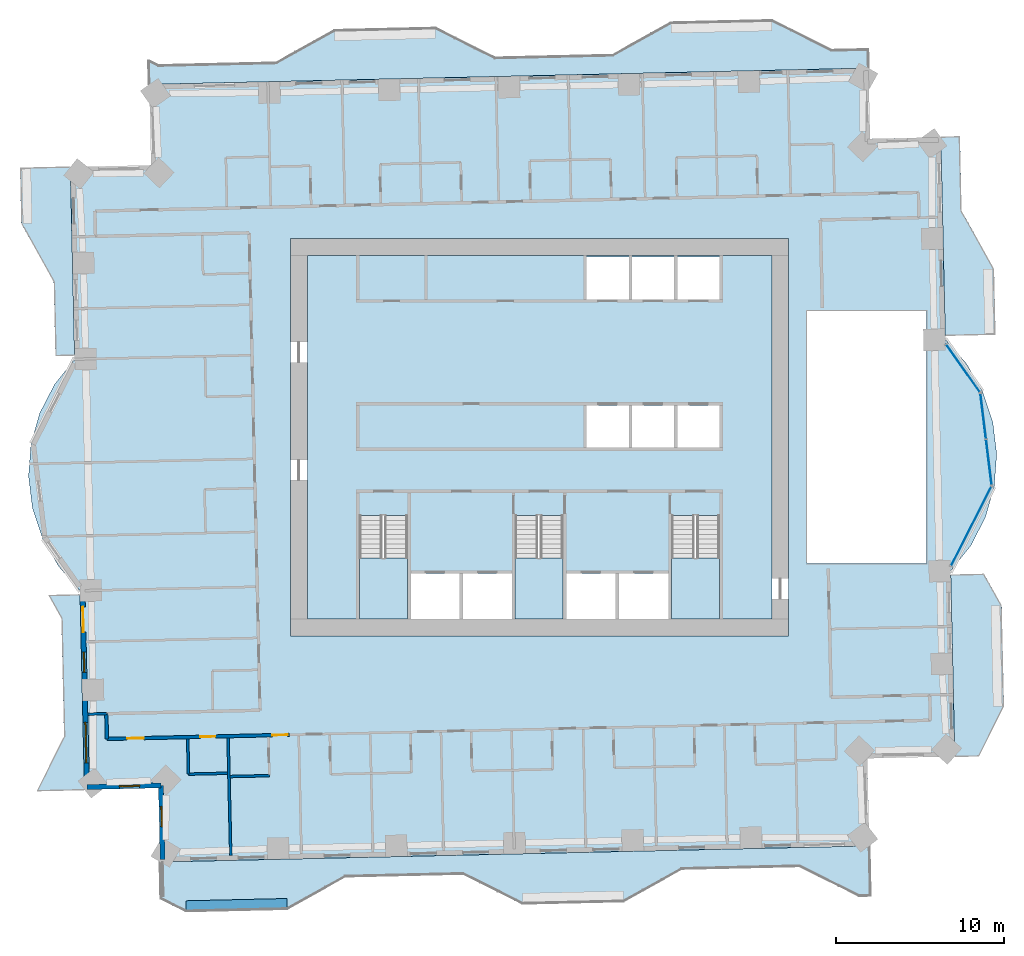
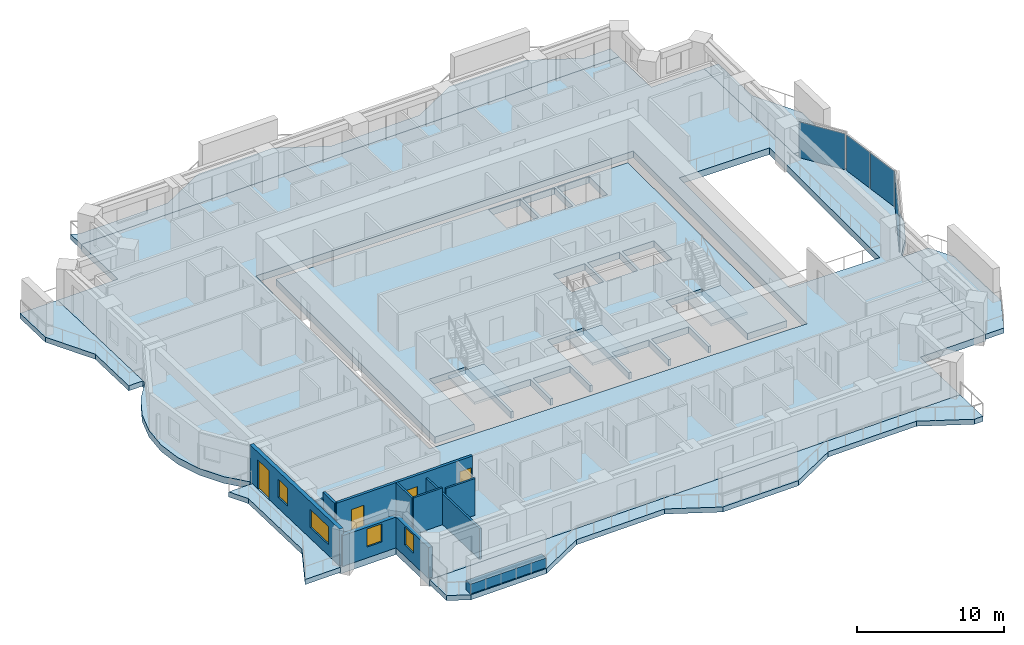
# One storey, part 5 of 16: 11 slabs, 11 walls, 4 doors, 4 plates, 4 windows, 8 openings, 6 elements without a shape of their own.
"""IFC4 building model written with IfcOpenShell, lengths in metres."""

from ifc_helpers import new_model, si_unit, direction, frame, frame_2d, origin, origin_2d, place, context, subcontext, project, spatial, polyline, rectangle, outline, extrude, material, layer, layer_set, type_object, element, fill, aggregate, save


model = new_model("IFC4")

# Units and contexts
model_context = context("Model", 3, precision=1e-05, world=origin(), true_north=direction((0.0, 1.0)))
body_context = subcontext(model_context, "Body", "Model", "MODEL_VIEW")
ifc_project = project(units=[si_unit("LENGTHUNIT", "METRE"), si_unit("AREAUNIT", "SQUARE_METRE"), si_unit("VOLUMEUNIT", "CUBIC_METRE"), si_unit("PLANEANGLEUNIT", "RADIAN"), si_unit("MASSUNIT", "GRAM", prefix="KILO")], contexts=[model_context])

# Site, building, storey
site_placement = place(None, origin())
site = spatial("IfcSite", under=ifc_project, at=site_placement, CompositionType="ELEMENT")
building_placement = place(site_placement, origin())
building = spatial("IfcBuilding", under=site, at=building_placement, Name="Mangrove Gate Tower", CompositionType="ELEMENT")
storey_placement = place(building_placement, frame((0.0, 0.0, 130.10009765625)))
storey = spatial("IfcBuildingStorey", under=building, at=storey_placement, Name="L32", CompositionType="ELEMENT", Elevation=130.10009765625)

# Curtain wall, plate
ifc_material_1 = material(Name="Aluminium and glass curtain wall", Category="aluminium")
curtain_wall_type = type_object("IfcCurtainWallType", Name="Atrium garden-court glazing wall", PredefinedType="NOTDEFINED", material=ifc_material_1)
curtain_wall_1_placement = place(storey_placement, origin())
curtain_wall_1 = element("IfcCurtainWall", 1, at=curtain_wall_1_placement, inside=storey, type_object=curtain_wall_type, Name="Atrium garden-court glazing E1f1", PredefinedType="NOTDEFINED")
ifc_material_2 = material(Name="Laminated low-e glass", Category="glass")
ifc_layer_1 = layer(ifc_material_2, 0.031982421875)
ifc_layer_set_1 = layer_set([ifc_layer_1], Name="Atrium garden-court glazing panel 32")
plate_type = type_object("IfcPlateType", Name="Atrium garden-court glazing panel 32", PredefinedType="CURTAIN_PANEL", material=ifc_layer_set_1)
plate_1_placement = place(storey_placement, frame((25.647216796875, -5.28466796875, 0.0), z_axis=(0.0, 0.0, 1.0), x_axis=(0.452614630938, 0.891706227331, 0.0)))
plate_1 = element("IfcPlate", 2, at=plate_1_placement, type_object=plate_type, Name="CWA panel 1.1", PredefinedType="CURTAIN_PANEL", context=body_context, shape_type="SweptSolid", body=[
    extrude(rectangle(XDim=5.258544921875, YDim=0.031982421875, at=origin_2d()), origin(), (0.0, 0.0, 1.0), 2.97998046875),
])
aggregate(curtain_wall_1, [plate_1])

# Curtain wall, plates
curtain_wall_2_placement = place(storey_placement, origin())
curtain_wall_2 = element("IfcCurtainWall", 3, at=curtain_wall_2_placement, inside=storey, type_object=curtain_wall_type, Name="Atrium garden-court glazing E1f2", PredefinedType="NOTDEFINED")
plate_2_placement = place(storey_placement, frame((26.696533203125, -1.4775390625, 0.0), z_axis=(0.0, 0.0, 1.0), x_axis=(-0.122172285885, 0.992508908051, 0.0)))
plate_2 = element("IfcPlate", 4, at=plate_2_placement, type_object=plate_type, Name="CWA panel 1.1", PredefinedType="CURTAIN_PANEL", context=body_context, shape_type="SweptSolid", body=[
    extrude(rectangle(XDim=2.681640625, YDim=0.031982421875, at=origin_2d()), origin(), (0.0, 0.0, 1.0), 2.97998046875),
])
plate_3_placement = place(storey_placement, frame((26.3603515625, 1.253662109375, 0.0), z_axis=(0.0, 0.0, 1.0), x_axis=(-0.122172285885, 0.992508908051, 0.0)))
plate_3 = element("IfcPlate", 5, at=plate_3_placement, type_object=plate_type, Name="CWA panel 2.1", PredefinedType="CURTAIN_PANEL", context=body_context, shape_type="SweptSolid", body=[
    extrude(rectangle(XDim=2.681640625, YDim=0.031982421875, at=origin_2d()), origin(), (0.0, 0.0, 1.0), 2.97998046875),
])
aggregate(curtain_wall_2, [plate_2, plate_3])

# Curtain wall, plate
curtain_wall_3_placement = place(storey_placement, origin())
curtain_wall_3 = element("IfcCurtainWall", 6, at=curtain_wall_3_placement, inside=storey, type_object=curtain_wall_type, Name="Atrium garden-court glazing E1f3", PredefinedType="NOTDEFINED")
plate_4_placement = place(storey_placement, frame((25.15625, 4.10986328125, 0.0), z_axis=(0.0, 0.0, 1.0), x_axis=(-0.578132252952, 0.815943072828, 0.0)))
plate_4 = element("IfcPlate", 7, at=plate_4_placement, type_object=plate_type, Name="CWA panel 1.1", PredefinedType="CURTAIN_PANEL", context=body_context, shape_type="SweptSolid", body=[
    extrude(rectangle(XDim=3.428955078125, YDim=0.031982421875, at=origin_2d()), origin(), (0.0, 0.0, 1.0), 2.97998046875),
])
aggregate(curtain_wall_3, [plate_4])

# Slabs
ifc_material_3 = material(Name="Porcelain tile")
ifc_layer_2 = layer(ifc_material_3, 0.02001953125, Name="Tile finish")
ifc_material_4 = material(Name="Cement sand screed")
ifc_layer_3 = layer(ifc_material_4, 0.0400390625, Name="Screed laid to falls")
ifc_material_5 = material(Name="Bituminous waterproofing membrane")
ifc_layer_4 = layer(ifc_material_5, 0.00390625, Name="Waterproofing")
ifc_material_6 = material(Name="Concrete C40/50", Category="concrete")
ifc_layer_5 = layer(ifc_material_6, 0.340087890625, Name="Balcony structural slab")
ifc_material_7 = material(Name="Limestone", Category="masonry")
ifc_layer_6 = layer(ifc_material_7, 0.01611328125, Name="Soffit lining")
ifc_layer_set_2 = layer_set([ifc_layer_2, ifc_layer_3, ifc_layer_4, ifc_layer_5, ifc_layer_6], Name="Balcony slab 420 C40/50")
slab_type_1 = type_object("IfcSlabType", Name="Balcony slab 420 C40/50", PredefinedType="FLOOR", material=ifc_layer_set_2)
slab_1_placement = place(storey_placement, frame((0.0, 0.0, -0.420166015625)))
element("IfcSlab", 8, at=slab_1_placement, inside=storey, type_object=slab_type_1, Name="BALCONY L32 E0", PredefinedType="FLOOR", context=body_context, shape_type="SweptSolid", body=[
    extrude(outline(polyline([(26.1279296875, -18.925048828125), (27.594970703125, -15.990966796875), (27.458984375, -9.992919921875), (26.426025390625, -8.14111328125), (24.427001953125, -8.18701171875), (24.469970703125, -10.06103515625), (24.60595703125, -16.05908203125), (24.6708984375, -18.9580078125), (26.1279296875, -18.925048828125)])), origin(), (0.0, 0.0, 1.0), 0.420166015625),
])
slab_2_placement = place(storey_placement, frame((0.0, 0.0, -0.420166015625)))
element("IfcSlab", 9, at=slab_2_placement, inside=storey, type_object=slab_type_1, Name="BALCONY L32 E1", PredefinedType="FLOOR", context=body_context, shape_type="SweptSolid", body=[
    extrude(outline(polyline([(27.093017578125, 6.1279296875), (27.0048828125, 10.001953125), (25.075927734375, 13.458984375), (24.97607421875, 17.85791015625), (23.8369140625, 17.83203125), (23.93603515625, 13.43310546875), (24.01611328125, 9.93408203125), (24.10400390625, 6.06005859375), (27.093017578125, 6.1279296875)])), origin(), (0.0, 0.0, 1.0), 0.420166015625),
])
slab_3_placement = place(storey_placement, frame((0.0, 0.0, -0.420166015625)))
element("IfcSlab", 10, at=slab_3_placement, inside=storey, type_object=slab_type_1, Name="BALCONY L32 N0", PredefinedType="FLOOR", context=body_context, shape_type="SweptSolid", body=[
    extrude(outline(polyline([(19.51611328125, 23.074951171875), (17.344970703125, 23.02587890625), (13.803955078125, 24.7958984375), (7.805908203125, 24.659912109375), (4.347900390625, 22.73095703125), (-1.85009765625, 22.591064453125), (-2.64990234375, 22.572998046875), (-6.19091796875, 24.343017578125), (-12.18896484375, 24.2060546875), (-15.64599609375, 22.277099609375), (-22.64501953125, 22.1201171875), (-23.222900390625, 22.407958984375), (-23.19091796875, 20.966064453125), (-6.123046875, 21.35302734375), (4.3740234375, 21.592041015625), (19.5419921875, 21.93603515625), (19.51611328125, 23.074951171875)])), origin(), (0.0, 0.0, 1.0), 0.420166015625),
])
slab_4_placement = place(storey_placement, frame((0.0, 0.0, -0.420166015625)))
element("IfcSlab", 11, at=slab_4_placement, inside=storey, type_object=slab_type_1, Name="BALCONY L32 W0", PredefinedType="FLOOR", context=body_context, shape_type="SweptSolid", body=[
    extrude(outline(polyline([(-30.8701171875, 15.989990234375), (-30.794921875, 12.69091796875), (-28.865966796875, 9.23388671875), (-28.76708984375, 4.861083984375), (-27.626953125, 4.886962890625), (-27.72607421875, 9.260009765625), (-27.805908203125, 12.759033203125), (-27.881103515625, 16.05810546875), (-30.8701171875, 15.989990234375)])), origin(), (0.0, 0.0, 1.0), 0.420166015625),
])
slab_5_placement = place(storey_placement, frame((0.0, 0.0, -0.420166015625)))
element("IfcSlab", 12, at=slab_5_placement, inside=storey, type_object=slab_type_1, Name="BALCONY L32 W1", PredefinedType="FLOOR", context=body_context, shape_type="SweptSolid", body=[
    extrude(outline(polyline([(-29.169921875, -9.403076171875), (-28.412109375, -10.760986328125), (-28.2529296875, -17.759033203125), (-29.8720703125, -20.99609375), (-27.041015625, -20.931884765625), (-27.114013671875, -17.73291015625), (-27.27197265625, -10.735107421875), (-27.303955078125, -9.360107421875), (-29.169921875, -9.403076171875)])), origin(), (0.0, 0.0, 1.0), 0.420166015625),
])
slab_6_placement = place(storey_placement, frame((0.0, 0.0, -0.420166015625)))
element("IfcSlab", 13, at=slab_6_placement, inside=storey, type_object=slab_type_1, Name="BALCONY L32 S0", PredefinedType="FLOOR", context=body_context, shape_type="SweptSolid", body=[
    extrude(outline(polyline([(-22.491943359375, -27.443115234375), (-21.0029296875, -28.18701171875), (-15.00390625, -28.051025390625), (-11.547119140625, -26.1220703125), (-4.549072265625, -25.962890625), (-1.008056640625, -27.73291015625), (4.989990234375, -27.596923828125), (8.447021484375, -25.66796875), (15.446044921875, -25.510009765625), (18.987060546875, -27.280029296875), (19.658935546875, -27.263916015625), (19.591064453125, -24.27490234375), (-22.5419921875, -25.23095703125), (-22.491943359375, -27.443115234375)])), origin(), (0.0, 0.0, 1.0), 0.420166015625),
])
ifc_material_8 = material(Name="Concrete C40/50", Category="concrete")
ifc_layer_7 = layer(ifc_material_8, 0.550048828125)
ifc_layer_set_3 = layer_set([ifc_layer_7], Name="Core floor slab 550 C40/50")
slab_type_2 = type_object("IfcSlabType", Name="Core floor slab 550 C40/50", PredefinedType="FLOOR", material=ifc_layer_set_3)
slab_7_placement = place(storey_placement, frame((0.0, 0.0, -0.550048828125)))
element("IfcSlab", 14, at=slab_7_placement, inside=storey, type_object=slab_type_2, Name="SLAB-L32-CORE-1", PredefinedType="FLOOR", context=body_context, shape_type="SweptSolid", body=[
    extrude(outline(polyline([(-13.800048828125, -10.800048828125), (-13.800048828125, 10.800048828125), (13.800048828125, 10.800048828125), (13.800048828125, -10.800048828125), (10.699951171875, -10.800048828125), (10.699951171875, -4.653076171875), (7.85009765625, -4.653076171875), (7.85009765625, -10.800048828125), (7.64990234375, -10.800048828125), (7.64990234375, -8.10009765625), (4.72509765625, -8.10009765625), (4.72509765625, -10.800048828125), (4.52490234375, -10.800048828125), (4.52490234375, -8.10009765625), (1.60009765625, -8.10009765625), (1.60009765625, -10.800048828125), (1.39990234375, -10.800048828125), (1.39990234375, -4.653076171875), (-1.449951171875, -4.653076171875), (-1.449951171875, -10.800048828125), (-1.64990234375, -10.800048828125), (-1.64990234375, -8.10009765625), (-4.550048828125, -8.10009765625), (-4.550048828125, -10.800048828125), (-4.75, -10.800048828125), (-4.75, -8.10009765625), (-7.64990234375, -8.10009765625), (-7.64990234375, -10.800048828125), (-7.85009765625, -10.800048828125), (-7.85009765625, -4.653076171875), (-10.699951171875, -4.653076171875), (-10.699951171875, -10.800048828125), (-13.800048828125, -10.800048828125)]), holes=[polyline([(5.300048828125, -0.60009765625), (5.300048828125, 1.89990234375), (2.800048828125, 1.89990234375), (2.800048828125, -0.60009765625), (5.300048828125, -0.60009765625)]), polyline([(5.300048828125, 10.699951171875), (2.800048828125, 10.699951171875), (2.800048828125, 8.199951171875), (5.300048828125, 8.199951171875), (5.300048828125, 10.699951171875)]), polyline([(8.0, -0.60009765625), (8.0, 1.89990234375), (5.5, 1.89990234375), (5.5, -0.60009765625), (8.0, -0.60009765625)]), polyline([(10.699951171875, -0.60009765625), (10.699951171875, 1.89990234375), (8.199951171875, 1.89990234375), (8.199951171875, -0.60009765625), (10.699951171875, -0.60009765625)]), polyline([(8.0, 8.199951171875), (8.0, 10.699951171875), (5.5, 10.699951171875), (5.5, 8.199951171875), (8.0, 8.199951171875)]), polyline([(10.699951171875, 8.199951171875), (10.699951171875, 10.699951171875), (8.199951171875, 10.699951171875), (8.199951171875, 8.199951171875), (10.699951171875, 8.199951171875)])]), origin(), (0.0, 0.0, 1.0), 0.550048828125),
])

# Stair, slab
ifc_material_9 = material(Name="Concrete C40/50", Category="concrete")
stair_type = type_object("IfcStairType", Name="Core stair 1350", PredefinedType="HALF_TURN_STAIR", material=ifc_material_9)
stair_1_placement = place(storey_placement, origin())
stair_1 = element("IfcStair", 15, at=stair_1_placement, inside=storey, type_object=stair_type, Name="L32 Stair 1", PredefinedType="HALF_TURN_STAIR")
ifc_material_10 = material(Name="Concrete C40/50", Category="concrete")
ifc_layer_8 = layer(ifc_material_10, 0.199951171875)
ifc_layer_set_4 = layer_set([ifc_layer_8], Name="Core stair landing 200")
slab_type_3 = type_object("IfcSlabType", Name="Core stair landing 200", PredefinedType="LANDING", material=ifc_layer_set_4)
slab_8_placement = place(storey_placement, frame((0.0, 0.0, 1.599853515625)))
slab_8 = element("IfcSlab", 16, at=slab_8_placement, type_object=slab_type_3, Name="ST1 landing 1", PredefinedType="LANDING", context=body_context, shape_type="SweptSolid", body=[
    extrude(outline(polyline([(-10.699951171875, -7.169921875), (-10.699951171875, -10.800048828125), (-7.85009765625, -10.800048828125), (-7.85009765625, -7.169921875), (-10.699951171875, -7.169921875)])), origin(), (0.0, 0.0, 1.0), 0.199951171875),
])
aggregate(stair_1, [slab_8])

stair_2_placement = place(storey_placement, origin())
stair_2 = element("IfcStair", 17, at=stair_2_placement, inside=storey, type_object=stair_type, Name="L32 Stair 2", PredefinedType="HALF_TURN_STAIR")
slab_9_placement = place(storey_placement, frame((0.0, 0.0, 1.599853515625)))
slab_9 = element("IfcSlab", 18, at=slab_9_placement, type_object=slab_type_3, Name="ST2 landing 1", PredefinedType="LANDING", context=body_context, shape_type="SweptSolid", body=[
    extrude(outline(polyline([(-1.449951171875, -7.169921875), (-1.449951171875, -10.800048828125), (1.39990234375, -10.800048828125), (1.39990234375, -7.169921875), (-1.449951171875, -7.169921875)])), origin(), (0.0, 0.0, 1.0), 0.199951171875),
])
aggregate(stair_2, [slab_9])

stair_3_placement = place(storey_placement, origin())
stair_3 = element("IfcStair", 19, at=stair_3_placement, inside=storey, type_object=stair_type, Name="L32 Stair 3", PredefinedType="HALF_TURN_STAIR")
slab_10_placement = place(storey_placement, frame((0.0, 0.0, 1.599853515625)))
slab_10 = element("IfcSlab", 20, at=slab_10_placement, type_object=slab_type_3, Name="ST3 landing 1", PredefinedType="LANDING", context=body_context, shape_type="SweptSolid", body=[
    extrude(outline(polyline([(7.85009765625, -7.169921875), (7.85009765625, -10.800048828125), (10.699951171875, -10.800048828125), (10.699951171875, -7.169921875), (7.85009765625, -7.169921875)])), origin(), (0.0, 0.0, 1.0), 0.199951171875),
])
aggregate(stair_3, [slab_10])

# Slab
ifc_material_11 = material(Name="Concrete C40/50", Category="concrete")
ifc_layer_9 = layer(ifc_material_11, 0.550048828125)
ifc_layer_set_5 = layer_set([ifc_layer_9], Name="Floor slab 550 C40/50")
slab_type_4 = type_object("IfcSlabType", Name="Floor slab 550 C40/50", PredefinedType="FLOOR", material=ifc_layer_set_5)
slab_11_placement = place(storey_placement, frame((0.0, 0.0, -0.550048828125)))
element("IfcSlab", 21, at=slab_11_placement, inside=storey, type_object=slab_type_4, Name="Floor slab L32", PredefinedType="FLOOR", context=body_context, shape_type="SweptSolid", body=[
    extrude(outline(polyline([(-22.54248046875, -25.231201171875), (19.5908203125, -24.275146484375), (19.472900390625, -19.076416015625), (24.67138671875, -18.95849609375), (24.42138671875, -7.9365234375), (25.617919921875, -6.4443359375), (26.494873046875, -4.744384765625), (27.017333984375, -2.904296875), (27.16455078125, -0.997314453125), (26.930908203125, 0.901123046875), (26.325439453125, 2.715576171875), (25.372314453125, 4.3740234375), (24.109375, 5.810546875), (23.836669921875, 17.83203125), (19.6376953125, 17.73681640625), (19.542236328125, 21.935791015625), (-23.190673828125, 20.966064453125), (-23.081787109375, 16.167236328125), (-27.880615234375, 16.058349609375), (-27.621337890625, 4.636474609375), (-28.81787109375, 3.144287109375), (-29.69482421875, 1.4443359375), (-30.21728515625, -0.395751953125), (-30.364501953125, -2.302734375), (-30.130859375, -4.201171875), (-29.525390625, -6.015625), (-28.572265625, -7.674072265625), (-27.309326171875, -9.110595703125), (-27.041015625, -20.93212890625), (-22.642333984375, -20.832275390625), (-22.54248046875, -25.231201171875)]), holes=[polyline([(15.89990234375, 7.5), (22.9951171875, 7.5), (22.9951171875, -7.5), (15.89990234375, -7.5), (15.89990234375, 7.5)]), polyline([(-14.800048828125, -11.800048828125), (-14.800048828125, 11.800048828125), (14.800048828125, 11.800048828125), (14.800048828125, -11.800048828125), (-14.800048828125, -11.800048828125)])]), origin(), (0.0, 0.0, 1.0), 0.550048828125),
])

# Wall
ifc_material_12 = material(Name="Gypsum board on steel stud, EI 60", Category="steel")
ifc_layer_10 = layer(ifc_material_12, 0.199951171875)
ifc_layer_set_6 = layer_set([ifc_layer_10], Name="Corridor wall EI 60")
wall_type_1 = type_object("IfcWallType", Name="Corridor wall EI 60", PredefinedType="PARTITIONING", material=ifc_layer_set_6)
wall_1_placement = place(storey_placement, frame((-25.70703125, -17.925048828125, 0.0), z_axis=(0.0, 0.0, 1.0), x_axis=(-0.022617910375, 0.999744182344, 0.0)))
element("IfcWall", 22, at=wall_1_placement, inside=storey, type_object=wall_type_1, Name="WALL-L32-027", PredefinedType="PARTITIONING", context=body_context, shape_type="SweptSolid", body=[
    extrude(rectangle(XDim=1.50048828125, YDim=0.199951171875, at=frame_2d((0.750244140625, 0.0))), origin(), (0.0, 0.0, 1.0), 3.0498046875),
])

# Wall, openings, doors
wall_2_placement = place(storey_placement, frame((-25.708984375, -17.9208984375, 0.0), z_axis=(0.0, 0.0, 1.0), x_axis=(0.999742764922, 0.022680475901, 0.0)))
wall_2 = element("IfcWall", 23, at=wall_2_placement, inside=storey, type_object=wall_type_1, Name="WALL-L32-029", PredefinedType="PARTITIONING", context=body_context, shape_type="SweptSolid", body=[
    extrude(rectangle(XDim=10.839599609375, YDim=0.199951171875, at=frame_2d((5.419921875, 0.0))), origin(), (0.0, 0.0, 1.0), 3.0498046875),
])
opening_1_placement = place(wall_2_placement, frame((1.199951171875, 0.0, 0.0)))
opening_1 = element("IfcOpeningElement", 24, at=opening_1_placement, cuts=wall_2, Name="Opening AD", PredefinedType="OPENING", context=body_context, shape_type="SweptSolid", body=[
    extrude(rectangle(XDim=1.0, YDim=2.10009765625, at=frame_2d((0.5, 1.050048828125))), frame((0.0, 0.10986328125, 0.0), z_axis=(0.0, -1.0, 0.0), x_axis=(1.0, 0.0, 0.0)), (0.0, 0.0, 1.0), 0.219970703125),
])
opening_2_placement = place(wall_2_placement, frame((5.550048828125, 0.0, 0.0)))
opening_2 = element("IfcOpeningElement", 25, at=opening_2_placement, cuts=wall_2, Name="Opening SD", PredefinedType="OPENING", context=body_context, shape_type="SweptSolid", body=[
    extrude(rectangle(XDim=0.89990234375, YDim=2.10009765625, at=frame_2d((0.449951171875, 1.050048828125))), frame((0.0, 0.10986328125, 0.0), z_axis=(0.0, -1.0, 0.0), x_axis=(1.0, 0.0, 0.0)), (0.0, 0.0, 1.0), 0.219970703125),
])
opening_3_placement = place(wall_2_placement, frame((9.840087890625, 0.0, 0.0)))
opening_3 = element("IfcOpeningElement", 26, at=opening_3_placement, cuts=wall_2, Name="Opening BD", PredefinedType="OPENING", context=body_context, shape_type="SweptSolid", body=[
    extrude(rectangle(XDim=0.89990234375, YDim=2.10009765625, at=frame_2d((0.449951171875, 1.050048828125))), frame((0.0, 0.10986328125, 0.0), z_axis=(0.0, -1.0, 0.0), x_axis=(1.0, 0.0, 0.0)), (0.0, 0.0, 1.0), 0.219970703125),
])
ifc_material_13 = material(Name="Timber door leaf", Category="wood")
door_type_1 = type_object("IfcDoorType", Name="Amenity door 1000", OperationType="SINGLE_SWING_LEFT", PredefinedType="DOOR", material=ifc_material_13)
door_1_placement = place(opening_1_placement, origin())
door_1 = element("IfcDoor", 27, at=door_1_placement, inside=storey, type_object=door_type_1, Name="DOOR-L32-STU-c1a", OperationType="SINGLE_SWING_LEFT", OverallHeight=2.10009765625, OverallWidth=1.0, PredefinedType="DOOR", context=body_context, shape_type="SweptSolid", body=[
    extrude(rectangle(XDim=1.0, YDim=2.10009765625, at=frame_2d((0.5, 1.050048828125))), frame((0.0, 0.02490234375, 0.0), z_axis=(0.0, -1.0, 0.0), x_axis=(1.0, 0.0, 0.0)), (0.0, 0.0, 1.0), 0.050048828125),
])
fill(opening_1, door_1)
ifc_material_14 = material(Name="Timber door leaf", Category="wood")
door_type_2 = type_object("IfcDoorType", Name="Bedroom door 900", OperationType="SINGLE_SWING_LEFT", PredefinedType="DOOR", material=ifc_material_14)
door_2_placement = place(opening_3_placement, origin())
door_2 = element("IfcDoor", 28, at=door_2_placement, inside=storey, type_object=door_type_2, Name="DOOR-L32-BED-c101", OperationType="SINGLE_SWING_LEFT", OverallHeight=2.10009765625, OverallWidth=0.89990234375, PredefinedType="DOOR", context=body_context, shape_type="SweptSolid", body=[
    extrude(rectangle(XDim=0.89990234375, YDim=2.10009765625, at=frame_2d((0.449951171875, 1.050048828125))), frame((0.0, 0.02490234375, 0.0), z_axis=(0.0, -1.0, 0.0), x_axis=(1.0, 0.0, 0.0)), (0.0, 0.0, 1.0), 0.050048828125),
])
fill(opening_3, door_2)
ifc_material_15 = material(Name="Timber door leaf", Category="wood")
door_type_3 = type_object("IfcDoorType", Name="Service room door 900", OperationType="SINGLE_SWING_LEFT", PredefinedType="DOOR", material=ifc_material_15)
door_3_placement = place(opening_2_placement, origin())
door_3 = element("IfcDoor", 29, at=door_3_placement, inside=storey, type_object=door_type_3, Name="DOOR-L32-LIN-c1a", OperationType="SINGLE_SWING_LEFT", OverallHeight=2.10009765625, OverallWidth=0.89990234375, PredefinedType="DOOR", context=body_context, shape_type="SweptSolid", body=[
    extrude(rectangle(XDim=0.89990234375, YDim=2.10009765625, at=frame_2d((0.449951171875, 1.050048828125))), frame((0.0, 0.02490234375, 0.0), z_axis=(0.0, -1.0, 0.0), x_axis=(1.0, 0.0, 0.0)), (0.0, 0.0, 1.0), 0.050048828125),
])
fill(opening_2, door_3)

# Wall, openings, door, windows
ifc_layer_11 = layer(ifc_material_7, 0.0400390625, Name="Limestone cladding")
ifc_material_16 = material(Name="Ventilated air gap")
ifc_layer_12 = layer(ifc_material_16, 0.0400390625, Name="Ventilated cavity")
ifc_material_17 = material(Name="Mineral wool insulation")
ifc_layer_13 = layer(ifc_material_17, 0.06005859375, Name="Insulation")
ifc_material_18 = material(Name="Breather membrane")
ifc_layer_14 = layer(ifc_material_18, 0.001953125, Name="Breather membrane")
ifc_material_19 = material(Name="Concrete C20/25 blockwork", Category="masonry")
ifc_layer_15 = layer(ifc_material_19, 0.14990234375, Name="Blockwork backing wall")
ifc_material_20 = material(Name="Gypsum plaster")
ifc_layer_16 = layer(ifc_material_20, 0.008056640625, Name="Internal plaster")
ifc_layer_set_7 = layer_set([ifc_layer_11, ifc_layer_12, ifc_layer_13, ifc_layer_14, ifc_layer_15, ifc_layer_16], Name="External wall 300 limestone cladding")
wall_type_2 = type_object("IfcWallType", Name="External wall 300 limestone cladding", PredefinedType="SOLIDWALL", material=ifc_layer_set_7)
wall_3_placement = place(storey_placement, frame((-27.160888671875, -9.052001953125, 0.0), z_axis=(0.0, 0.0, 1.0), x_axis=(0.022665616813, -0.999743101909, 0.0)))
wall_3 = element("IfcWall", 30, at=wall_3_placement, inside=storey, type_object=wall_type_2, Name="WALL-L32-W10", PredefinedType="SOLIDWALL", context=body_context, shape_type="SweptSolid", body=[
    extrude(rectangle(XDim=11.72998046875, YDim=0.300048828125, at=frame_2d((5.864990234375, 0.0))), origin(), (0.0, 0.0, 1.0), 3.0498046875),
])
opening_4_placement = place(wall_3_placement, frame((1.029052734375, 0.0, 0.0)))
opening_4 = element("IfcOpeningElement", 31, at=opening_4_placement, cuts=wall_3, Name="Opening BD1", PredefinedType="OPENING", context=body_context, shape_type="SweptSolid", body=[
    extrude(rectangle(XDim=1.5, YDim=2.39990234375, at=frame_2d((0.75, 1.199951171875))), frame((0.0, 0.159912109375, 0.0), z_axis=(0.0, -1.0, 0.0), x_axis=(1.0, 0.0, 0.0)), (0.0, 0.0, 1.0), 0.320068359375),
])
opening_5_placement = place(wall_3_placement, frame((3.7099609375, 0.0, 0.89990234375)))
opening_5 = element("IfcOpeningElement", 32, at=opening_5_placement, cuts=wall_3, Name="Opening W1", PredefinedType="OPENING", context=body_context, shape_type="SweptSolid", body=[
    extrude(rectangle(XDim=1.199951171875, YDim=1.5, at=frame_2d((0.60009765625, 0.75))), frame((0.0, 0.159912109375, 0.0), z_axis=(0.0, -1.0, 0.0), x_axis=(1.0, 0.0, 0.0)), (0.0, 0.0, 1.0), 0.320068359375),
])
opening_6_placement = place(wall_3_placement, frame((7.89208984375, 0.0, 0.89990234375)))
opening_6 = element("IfcOpeningElement", 33, at=opening_6_placement, cuts=wall_3, Name="Opening W2", PredefinedType="OPENING", context=body_context, shape_type="SweptSolid", body=[
    extrude(rectangle(XDim=2.39990234375, YDim=1.5, at=frame_2d((1.199951171875, 0.75))), frame((0.0, 0.159912109375, 0.0), z_axis=(0.0, -1.0, 0.0), x_axis=(1.0, 0.0, 0.0)), (0.0, 0.0, 1.0), 0.320068359375),
])
ifc_material_21 = material(Name="Aluminium frame with laminated clear glass", Category="aluminium")
door_type_4 = type_object("IfcDoorType", Name="Balcony sliding door 1500x2400", OperationType="SLIDING_TO_LEFT", PredefinedType="DOOR", material=ifc_material_21)
door_4_placement = place(opening_4_placement, origin())
door_4 = element("IfcDoor", 34, at=door_4_placement, inside=storey, type_object=door_type_4, Name="DOOR-L32-W10-1", OperationType="SLIDING_TO_LEFT", OverallHeight=2.39990234375, OverallWidth=1.5, PredefinedType="DOOR", context=body_context, shape_type="SweptSolid", body=[
    extrude(rectangle(XDim=1.5, YDim=2.39990234375, at=frame_2d((0.75, 1.199951171875))), frame((0.0, 0.02490234375, 0.0), z_axis=(0.0, -1.0, 0.0), x_axis=(1.0, 0.0, 0.0)), (0.0, 0.0, 1.0), 0.050048828125),
])
fill(opening_4, door_4)
ifc_material_22 = material(Name="Aluminium frame with double-glazed low-e glass", Category="aluminium")
window_type_1 = type_object("IfcWindowType", Name="Corner room window 2400x1500", PartitioningType="DOUBLE_PANEL_VERTICAL", PredefinedType="WINDOW", material=ifc_material_22)
window_1_placement = place(opening_6_placement, origin())
window_1 = element("IfcWindow", 35, at=window_1_placement, inside=storey, type_object=window_type_1, Name="WIN-L32-W10-3", OverallHeight=1.5, OverallWidth=2.39990234375, PartitioningType="DOUBLE_PANEL_VERTICAL", PredefinedType="WINDOW", context=body_context, shape_type="SweptSolid", body=[
    extrude(rectangle(XDim=2.39990234375, YDim=1.5, at=frame_2d((1.199951171875, 0.75))), frame((0.0, 0.030029296875, 0.0), z_axis=(0.0, -1.0, 0.0), x_axis=(1.0, 0.0, 0.0)), (0.0, 0.0, 1.0), 0.06005859375),
])
fill(opening_6, window_1)
ifc_material_23 = material(Name="Aluminium frame with double-glazed low-e glass", Category="aluminium")
window_type_2 = type_object("IfcWindowType", Name="Side lite 1200x1500", PartitioningType="SINGLE_PANEL", PredefinedType="WINDOW", material=ifc_material_23)
window_2_placement = place(opening_5_placement, origin())
window_2 = element("IfcWindow", 36, at=window_2_placement, inside=storey, type_object=window_type_2, Name="WIN-L32-W10-2", OverallHeight=1.5, OverallWidth=1.199951171875, PartitioningType="SINGLE_PANEL", PredefinedType="WINDOW", context=body_context, shape_type="SweptSolid", body=[
    extrude(rectangle(XDim=1.199951171875, YDim=1.5, at=frame_2d((0.60009765625, 0.75))), frame((0.0, 0.030029296875, 0.0), z_axis=(0.0, -1.0, 0.0), x_axis=(1.0, 0.0, 0.0)), (0.0, 0.0, 1.0), 0.06005859375),
])
fill(opening_5, window_2)

# Wall, opening, window
wall_4_placement = place(storey_placement, frame((-26.89501953125, -20.779052734375, 0.0), z_axis=(0.0, 0.0, 1.0), x_axis=(0.999741204967, 0.022749133868, 0.0)))
wall_4 = element("IfcWall", 37, at=wall_4_placement, inside=storey, type_object=wall_type_2, Name="WALL-L32-S11", PredefinedType="SOLIDWALL", context=body_context, shape_type="SweptSolid", body=[
    extrude(rectangle(XDim=4.400146484375, YDim=0.300048828125, at=frame_2d((2.2001953125, 0.0))), origin(), (0.0, 0.0, 1.0), 2.5498046875),
])
opening_7_placement = place(wall_4_placement, frame((1.93603515625, 0.0, 0.89990234375)))
opening_7 = element("IfcOpeningElement", 38, at=opening_7_placement, cuts=wall_4, Name="Opening W1", PredefinedType="OPENING", context=body_context, shape_type="SweptSolid", body=[
    extrude(rectangle(XDim=1.199951171875, YDim=1.5, at=frame_2d((0.60009765625, 0.75))), frame((0.0, 0.159912109375, 0.0), z_axis=(0.0, -1.0, 0.0), x_axis=(1.0, 0.0, 0.0)), (0.0, 0.0, 1.0), 0.320068359375),
])
window_3_placement = place(opening_7_placement, origin())
window_3 = element("IfcWindow", 39, at=window_3_placement, inside=storey, type_object=window_type_2, Name="WIN-L32-S11-1", OverallHeight=1.5, OverallWidth=1.199951171875, PartitioningType="SINGLE_PANEL", PredefinedType="WINDOW", context=body_context, shape_type="SweptSolid", body=[
    extrude(rectangle(XDim=1.199951171875, YDim=1.5, at=frame_2d((0.60009765625, 0.75))), frame((0.0, 0.030029296875, 0.0), z_axis=(0.0, -1.0, 0.0), x_axis=(1.0, 0.0, 0.0)), (0.0, 0.0, 1.0), 0.06005859375),
])
fill(opening_7, window_3)

wall_5_placement = place(storey_placement, frame((-22.49609375, -20.678955078125, 0.0), z_axis=(0.0, 0.0, 1.0), x_axis=(0.022749133868, -0.999741204967, 0.0)))
wall_5 = element("IfcWall", 40, at=wall_5_placement, inside=storey, type_object=wall_type_2, Name="WALL-L32-W12", PredefinedType="SOLIDWALL", context=body_context, shape_type="SweptSolid", body=[
    extrude(rectangle(XDim=4.400146484375, YDim=0.300048828125, at=frame_2d((2.2001953125, 0.0))), origin(), (0.0, 0.0, 1.0), 2.5498046875),
])
opening_8_placement = place(wall_5_placement, frame((1.256103515625, 0.0, 0.89990234375)))
opening_8 = element("IfcOpeningElement", 41, at=opening_8_placement, cuts=wall_5, Name="Opening W1", PredefinedType="OPENING", context=body_context, shape_type="SweptSolid", body=[
    extrude(rectangle(XDim=1.199951171875, YDim=1.5, at=frame_2d((0.60009765625, 0.75))), frame((0.0, 0.159912109375, 0.0), z_axis=(0.0, -1.0, 0.0), x_axis=(1.0, 0.0, 0.0)), (0.0, 0.0, 1.0), 0.320068359375),
])
window_4_placement = place(opening_8_placement, origin())
window_4 = element("IfcWindow", 42, at=window_4_placement, inside=storey, type_object=window_type_2, Name="WIN-L32-W12-1", OverallHeight=1.5, OverallWidth=1.199951171875, PartitioningType="SINGLE_PANEL", PredefinedType="WINDOW", context=body_context, shape_type="SweptSolid", body=[
    extrude(rectangle(XDim=1.199951171875, YDim=1.5, at=frame_2d((0.60009765625, 0.75))), frame((0.0, 0.030029296875, 0.0), z_axis=(0.0, -1.0, 0.0), x_axis=(1.0, 0.0, 0.0)), (0.0, 0.0, 1.0), 0.06005859375),
])
fill(opening_8, window_4)

# Walls
ifc_material_24 = material(Name="Gypsum board on steel stud, EI 60", Category="steel")
ifc_layer_17 = layer(ifc_material_24, 0.14990234375)
ifc_layer_set_8 = layer_set([ifc_layer_17], Name="Party wall 150 EI 60")
wall_type_3 = type_object("IfcWallType", Name="Party wall 150 EI 60", PredefinedType="PARTITIONING", material=ifc_layer_set_8)
wall_6_placement = place(storey_placement, frame((-18.347900390625, -24.8359375, 0.0), z_axis=(0.0, 0.0, 1.0), x_axis=(-0.02281919218, 0.999739608332, 0.0)))
element("IfcWall", 43, at=wall_6_placement, inside=storey, type_object=wall_type_3, Name="WALL-L32-001", PredefinedType="PARTITIONING", context=body_context, shape_type="SweptSolid", body=[
    extrude(rectangle(XDim=6.9755859375, YDim=0.14990234375, at=frame_2d((3.48779296875, 0.0))), origin(), (0.0, 0.0, 1.0), 2.5498046875),
])
wall_7_placement = place(storey_placement, frame((-18.381103515625, -20.155029296875, 0.0), z_axis=(0.0, 0.0, 1.0), x_axis=(0.999749797124, 0.022368351553, 0.0)))
element("IfcWall", 44, at=wall_7_placement, inside=storey, type_object=wall_type_3, Name="WALL-L32-018", PredefinedType="PARTITIONING", context=body_context, shape_type="SweptSolid", body=[
    extrude(rectangle(XDim=2.32470703125, YDim=0.14990234375, at=frame_2d((1.162353515625, 0.0))), origin(), (0.0, 0.0, 1.0), 3.0498046875),
])
wall_8_placement = place(storey_placement, frame((-20.85791015625, -20.01611328125, 0.0), z_axis=(0.0, 0.0, 1.0), x_axis=(-0.022895647347, 0.999737860308, 0.0)))
element("IfcWall", 45, at=wall_8_placement, inside=storey, type_object=wall_type_3, Name="WALL-L32-023", PredefinedType="PARTITIONING", context=body_context, shape_type="SweptSolid", body=[
    extrude(rectangle(XDim=2.1005859375, YDim=0.14990234375, at=frame_2d((1.05029296875, 0.0))), origin(), (0.0, 0.0, 1.0), 3.0498046875),
])
wall_9_placement = place(storey_placement, frame((-20.860107421875, -20.011962890625, 0.0), z_axis=(0.0, 0.0, 1.0), x_axis=(0.99974031529, 0.022788198363, 0.0)))
element("IfcWall", 46, at=wall_9_placement, inside=storey, type_object=wall_type_3, Name="WALL-L32-025", PredefinedType="PARTITIONING", context=body_context, shape_type="SweptSolid", body=[
    extrude(rectangle(XDim=2.32470703125, YDim=0.14990234375, at=frame_2d((1.162353515625, 0.0))), origin(), (0.0, 0.0, 1.0), 3.0498046875),
])
wall_10_placement = place(storey_placement, frame((-26.843017578125, -16.447021484375, 0.0), z_axis=(0.0, 0.0, 1.0), x_axis=(0.999720170098, 0.023655475055, 0.0)))
element("IfcWall", 47, at=wall_10_placement, inside=storey, type_object=wall_type_3, Name="WALL-L32-035", PredefinedType="PARTITIONING", context=body_context, shape_type="SweptSolid", body=[
    extrude(rectangle(XDim=1.104248046875, YDim=0.14990234375, at=frame_2d((0.55224609375, 0.0))), origin(), (0.0, 0.0, 1.0), 2.5498046875),
])
ifc_material_25 = material(Name="Concrete C32/40", Category="concrete")
ifc_layer_18 = layer(ifc_material_25, 0.199951171875, Name="Planter trough wall")
ifc_layer_19 = layer(ifc_material_5, 0.0048828125, Name="Waterproofing")
ifc_material_26 = material(Name="Drainage board and gravel")
ifc_layer_20 = layer(ifc_material_26, 0.044921875, Name="Drainage layer")
ifc_material_27 = material(Name="Planting soil")
ifc_layer_21 = layer(ifc_material_27, 0.300048828125, Name="Growing medium")
ifc_layer_set_9 = layer_set([ifc_layer_18, ifc_layer_19, ifc_layer_20, ifc_layer_21], Name="Planter wall 550 C32/40")
wall_type_4 = type_object("IfcWallType", Name="Planter wall 550 C32/40", PredefinedType="USERDEFINED", material=ifc_layer_set_9)
wall_11_placement = place(storey_placement, frame((-21.010986328125, -27.81201171875, 0.0), z_axis=(0.0, 0.0, 1.0), x_axis=(0.999743094499, 0.022665943652, 0.0)))
element("IfcWall", 48, at=wall_11_placement, inside=storey, type_object=wall_type_4, Name="PLANTER L32 S0.1", ObjectType="PLANTER", PredefinedType="USERDEFINED", context=body_context, shape_type="SweptSolid", body=[
    extrude(rectangle(XDim=5.99951171875, YDim=0.550048828125, at=frame_2d((2.999755859375, 0.0))), origin(), (0.0, 0.0, 1.0), 0.7998046875),
])

save(model, "model.ifc")
